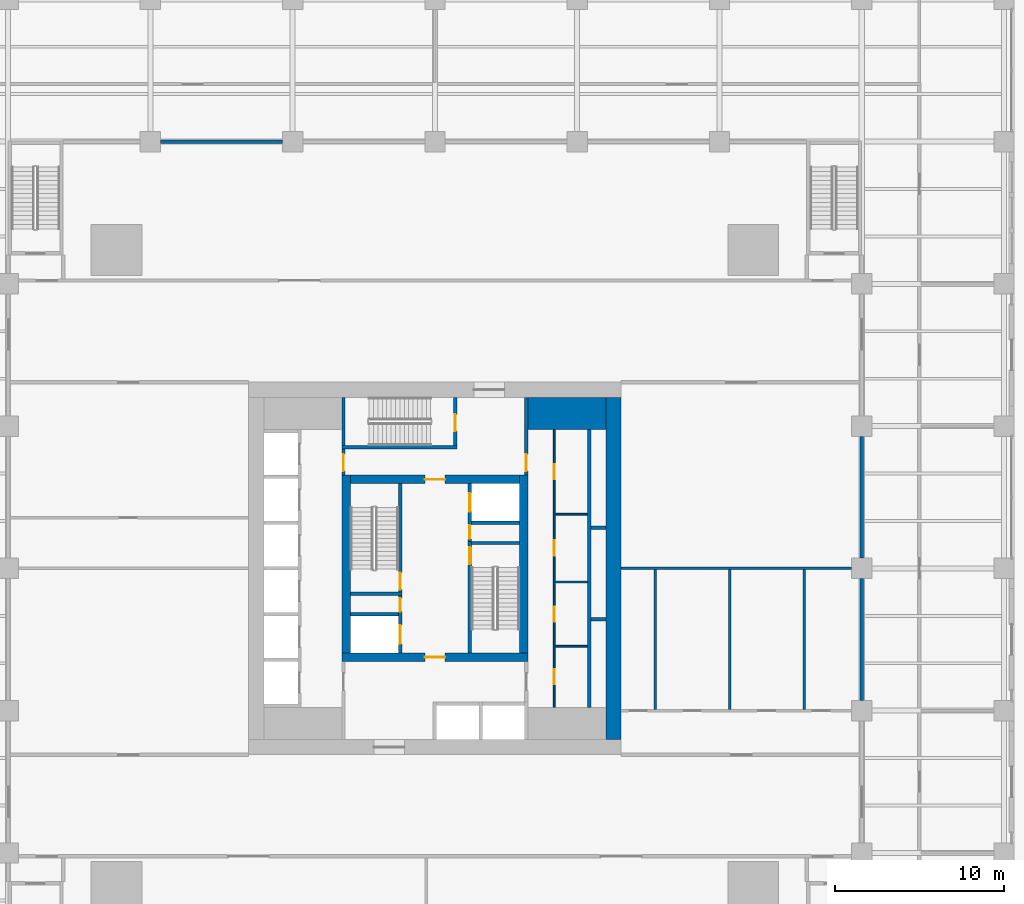
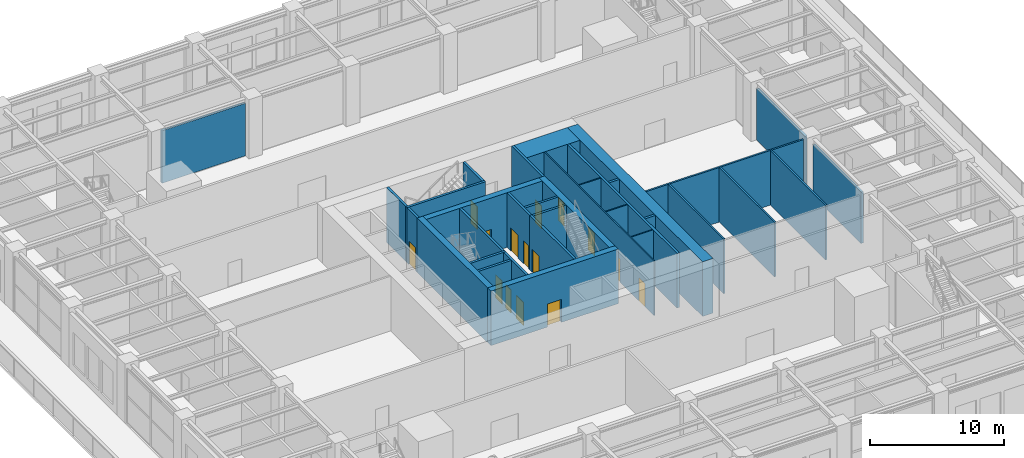
# One storey, part 25 of 36: 33 walls, 15 doors, 15 openings.
"""IFC4 building model written with IfcOpenShell, lengths in metres."""

from ifc_helpers import new_model, si_unit, direction, frame, frame_2d, origin, place, context, subcontext, project, spatial, rectangle, extrude, material, layer, layer_set, type_object, element, fill, save


model = new_model("IFC4")

# Units and contexts
model_context = context("Model", 3, precision=1e-05, world=origin(), true_north=direction((0.0, 1.0)))
body_context = subcontext(model_context, "Body", "Model", "MODEL_VIEW")
ifc_project = project(units=[si_unit("LENGTHUNIT", "METRE"), si_unit("AREAUNIT", "SQUARE_METRE"), si_unit("VOLUMEUNIT", "CUBIC_METRE"), si_unit("PLANEANGLEUNIT", "RADIAN"), si_unit("MASSUNIT", "GRAM", prefix="KILO")], contexts=[model_context])

# Site, building, storey
site_placement = place(None, origin())
site = spatial("IfcSite", under=ifc_project, at=site_placement, CompositionType="ELEMENT")
building_placement = place(site_placement, origin())
building = spatial("IfcBuilding", under=site, at=building_placement, Name="Khepri Terraces", CompositionType="ELEMENT")
storey_placement = place(building_placement, frame((0.0, 0.0, 16.800048828125)))
storey = spatial("IfcBuildingStorey", under=building, at=storey_placement, Name="L03", CompositionType="ELEMENT", Elevation=16.800048828125)

# Wall
ifc_material_1 = material(Name="Concrete C80/95", Category="concrete")
ifc_layer_1 = layer(ifc_material_1, 1.89990234375, Name="Concrete C80/95", Category="concrete")
ifc_layer_set_1 = layer_set([ifc_layer_1], Name="Concrete C80/95")
wall_type_1 = type_object("IfcWallType", Name="Core wall 1900 C80/95", PredefinedType="SHEAR", material=ifc_layer_set_1)
wall_1_placement = place(storey_placement, frame((5.5, 9.14990234375, 0.0), z_axis=(0.0, 0.0, 1.0), x_axis=(1.0, 0.0, 0.0)))
element("IfcWall", 1, at=wall_1_placement, inside=storey, type_object=wall_type_1, Name="Core wall PR04 L03", PredefinedType="SHEAR", context=body_context, shape_type="SweptSolid", body=[
    extrude(rectangle(XDim=4.60009765625, YDim=1.89990234375, at=frame_2d((2.300048828125, 0.0))), origin(), (0.0, 0.0, 1.0), 4.97998046875),
])

# Wall, opening, door
ifc_layer_2 = layer(ifc_material_1, 0.199951171875, Name="Concrete C80/95", Category="concrete")
ifc_layer_set_2 = layer_set([ifc_layer_2], Name="Concrete C80/95")
wall_type_2 = type_object("IfcWallType", Name="Core wall 200 C80/95", PredefinedType="SHEAR", material=ifc_layer_set_2)
wall_2_placement = place(storey_placement, frame((2.050048828125, -5.0, 0.0), z_axis=(0.0, 0.0, 1.0), x_axis=(0.0, 1.0, 0.0)))
wall_2 = element("IfcWall", 2, at=wall_2_placement, inside=storey, type_object=wall_type_2, Name="Core wall ST01 L03", PredefinedType="SHEAR", context=body_context, shape_type="SweptSolid", body=[
    extrude(rectangle(XDim=6.60009765625, YDim=0.199951171875, at=frame_2d((3.300048828125, 0.0))), origin(), (0.0, 0.0, 1.0), 4.97998046875),
])
opening_1_placement = place(wall_2_placement, frame((5.25, 0.0, 0.0)))
opening_1 = element("IfcOpeningElement", 3, at=opening_1_placement, cuts=wall_2, Name="Opening L03-C10", PredefinedType="OPENING", context=body_context, shape_type="SweptSolid", body=[
    extrude(rectangle(XDim=1.0, YDim=2.10009765625, at=frame_2d((0.5, 1.050048828125))), frame((0.0, 0.10986328125, 0.0), z_axis=(0.0, -1.0, 0.0), x_axis=(1.0, 0.0, 0.0)), (0.0, 0.0, 1.0), 0.219970703125),
])
ifc_material_2 = material(Name="Painted steel", Category="steel")
door_type_1 = type_object("IfcDoorType", Name="DR-CORE-STAIR-1000", OperationType="NOTDEFINED", PredefinedType="DOOR", material=ifc_material_2)
door_1_placement = place(opening_1_placement, frame((1.0, 0.0, 0.0), z_axis=(0.0, 0.0, 1.0), x_axis=(-1.0, 0.0, 0.0)))
door_1 = element("IfcDoor", 4, at=door_1_placement, inside=storey, type_object=door_type_1, Name="Stair door L03-C10", OperationType="SINGLE_SWING_LEFT", OverallHeight=2.10009765625, OverallWidth=1.0, PredefinedType="DOOR", context=body_context, shape_type="SweptSolid", body=[
    extrude(rectangle(XDim=1.0, YDim=2.10009765625, at=frame_2d((0.5, 1.050048828125))), frame((0.0, 0.02490234375, 0.0), z_axis=(0.0, -1.0, 0.0), x_axis=(1.0, 0.0, 0.0)), (0.0, 0.0, 1.0), 0.050048828125),
])
fill(opening_1, door_1)

# Wall
wall_3_placement = place(storey_placement, frame((-5.0, -1.5, 0.0), z_axis=(0.0, 0.0, 1.0), x_axis=(1.0, 0.0, 0.0)))
element("IfcWall", 5, at=wall_3_placement, inside=storey, type_object=wall_type_2, Name="Core wall ST02 L03", PredefinedType="SHEAR", context=body_context, shape_type="SweptSolid", body=[
    extrude(rectangle(XDim=3.050048828125, YDim=0.199951171875, at=frame_2d((1.52490234375, 0.0))), origin(), (0.0, 0.0, 1.0), 4.97998046875),
])

# Wall, opening, door
wall_4_placement = place(storey_placement, frame((-2.050048828125, -1.39990234375, 0.0), z_axis=(0.0, 0.0, 1.0), x_axis=(0.0, 1.0, 0.0)))
wall_4 = element("IfcWall", 6, at=wall_4_placement, inside=storey, type_object=wall_type_2, Name="Core wall ST03 L03", PredefinedType="SHEAR", context=body_context, shape_type="SweptSolid", body=[
    extrude(rectangle(XDim=6.39990234375, YDim=0.199951171875, at=frame_2d((3.199951171875, 0.0))), origin(), (0.0, 0.0, 1.0), 4.97998046875),
])
opening_2_placement = place(wall_4_placement, frame((0.14990234375, 0.0, 0.0)))
opening_2 = element("IfcOpeningElement", 7, at=opening_2_placement, cuts=wall_4, Name="Opening L03-C09", PredefinedType="OPENING", context=body_context, shape_type="SweptSolid", body=[
    extrude(rectangle(XDim=1.0, YDim=2.10009765625, at=frame_2d((0.5, 1.050048828125))), frame((0.0, 0.10986328125, 0.0), z_axis=(0.0, -1.0, 0.0), x_axis=(1.0, 0.0, 0.0)), (0.0, 0.0, 1.0), 0.219970703125),
])
door_2_placement = place(opening_2_placement, origin())
door_2 = element("IfcDoor", 8, at=door_2_placement, inside=storey, type_object=door_type_1, Name="Stair door L03-C09", OperationType="SINGLE_SWING_LEFT", OverallHeight=2.10009765625, OverallWidth=1.0, PredefinedType="DOOR", context=body_context, shape_type="SweptSolid", body=[
    extrude(rectangle(XDim=1.0, YDim=2.10009765625, at=frame_2d((0.5, 1.050048828125))), frame((0.0, 0.02490234375, 0.0), z_axis=(0.0, -1.0, 0.0), x_axis=(1.0, 0.0, 0.0)), (0.0, 0.0, 1.0), 0.050048828125),
])
fill(opening_2, door_2)

# Walls
wall_5_placement = place(storey_placement, frame((2.14990234375, 1.5, 0.0), z_axis=(0.0, 0.0, 1.0), x_axis=(1.0, 0.0, 0.0)))
element("IfcWall", 9, at=wall_5_placement, inside=storey, type_object=wall_type_2, Name="Core wall ST04 L03", PredefinedType="SHEAR", context=body_context, shape_type="SweptSolid", body=[
    extrude(rectangle(XDim=2.85009765625, YDim=0.199951171875, at=frame_2d((1.425048828125, 0.0))), origin(), (0.0, 0.0, 1.0), 4.97998046875),
])
wall_6_placement = place(storey_placement, frame((-5.5, 7.14990234375, 0.0), z_axis=(0.0, 0.0, 1.0), x_axis=(1.0, 0.0, 0.0)))
element("IfcWall", 10, at=wall_6_placement, inside=storey, type_object=wall_type_2, Name="Core wall ST05 L03", PredefinedType="SHEAR", context=body_context, shape_type="SweptSolid", body=[
    extrude(rectangle(XDim=6.800048828125, YDim=0.199951171875, at=frame_2d((3.39990234375, 0.0))), origin(), (0.0, 0.0, 1.0), 4.97998046875),
])
wall_7_placement = place(storey_placement, frame((-5.39990234375, 7.25, 0.0), z_axis=(0.0, 0.0, 1.0), x_axis=(0.0, 1.0, 0.0)))
element("IfcWall", 11, at=wall_7_placement, inside=storey, type_object=wall_type_2, Name="Core wall ST06 L03", PredefinedType="SHEAR", context=body_context, shape_type="SweptSolid", body=[
    extrude(rectangle(XDim=2.85009765625, YDim=0.199951171875, at=frame_2d((1.425048828125, 0.0))), origin(), (0.0, 0.0, 1.0), 4.97998046875),
])

# Wall, opening, door
wall_8_placement = place(storey_placement, frame((1.199951171875, 7.25, 0.0), z_axis=(0.0, 0.0, 1.0), x_axis=(0.0, 1.0, 0.0)))
wall_8 = element("IfcWall", 12, at=wall_8_placement, inside=storey, type_object=wall_type_2, Name="Core wall ST07 L03", PredefinedType="SHEAR", context=body_context, shape_type="SweptSolid", body=[
    extrude(rectangle(XDim=2.85009765625, YDim=0.199951171875, at=frame_2d((1.425048828125, 0.0))), origin(), (0.0, 0.0, 1.0), 4.97998046875),
])
opening_3_placement = place(wall_8_placement, frame((0.85009765625, 0.0, 0.0)))
opening_3 = element("IfcOpeningElement", 13, at=opening_3_placement, cuts=wall_8, Name="Opening L03-C15", PredefinedType="OPENING", context=body_context, shape_type="SweptSolid", body=[
    extrude(rectangle(XDim=1.0, YDim=2.10009765625, at=frame_2d((0.5, 1.050048828125))), frame((0.0, 0.10986328125, 0.0), z_axis=(0.0, -1.0, 0.0), x_axis=(1.0, 0.0, 0.0)), (0.0, 0.0, 1.0), 0.219970703125),
])
door_3_placement = place(opening_3_placement, origin())
door_3 = element("IfcDoor", 14, at=door_3_placement, inside=storey, type_object=door_type_1, Name="Stair door L03-C15", OperationType="SINGLE_SWING_LEFT", OverallHeight=2.10009765625, OverallWidth=1.0, PredefinedType="DOOR", context=body_context, shape_type="SweptSolid", body=[
    extrude(rectangle(XDim=1.0, YDim=2.10009765625, at=frame_2d((0.5, 1.050048828125))), frame((0.0, 0.02490234375, 0.0), z_axis=(0.0, -1.0, 0.0), x_axis=(1.0, 0.0, 0.0)), (0.0, 0.0, 1.0), 0.050048828125),
])
fill(opening_3, door_3)

# Wall
wall_9_placement = place(storey_placement, frame((9.10009765625, -8.199951171875, 0.0), z_axis=(0.0, 0.0, 1.0), x_axis=(0.0, 1.0, 0.0)))
element("IfcWall", 15, at=wall_9_placement, inside=storey, type_object=wall_type_2, Name="Core wall SH05 L03", PredefinedType="SHEAR", context=body_context, shape_type="SweptSolid", body=[
    extrude(rectangle(XDim=16.39990234375, YDim=0.199951171875, at=frame_2d((8.199951171875, 0.0))), origin(), (0.0, 0.0, 1.0), 4.97998046875),
])

# Wall, openings, doors
wall_10_placement = place(storey_placement, frame((-2.050048828125, -5.0, 0.0), z_axis=(0.0, 0.0, 1.0), x_axis=(0.0, 1.0, 0.0)))
wall_10 = element("IfcWall", 16, at=wall_10_placement, inside=storey, type_object=wall_type_2, Name="Core wall SH10 L03", PredefinedType="SHEAR", context=body_context, shape_type="SweptSolid", body=[
    extrude(rectangle(XDim=3.39990234375, YDim=0.199951171875, at=frame_2d((1.699951171875, 0.0))), origin(), (0.0, 0.0, 1.0), 4.97998046875),
])
opening_4_placement = place(wall_10_placement, frame((0.550048828125, 0.0, 0.0)))
opening_4 = element("IfcOpeningElement", 17, at=opening_4_placement, cuts=wall_10, Name="Opening L03-C08", PredefinedType="OPENING", context=body_context, shape_type="SweptSolid", body=[
    extrude(rectangle(XDim=1.10009765625, YDim=2.10009765625, at=frame_2d((0.550048828125, 1.050048828125))), frame((0.0, 0.10986328125, 0.0), z_axis=(0.0, -1.0, 0.0), x_axis=(1.0, 0.0, 0.0)), (0.0, 0.0, 1.0), 0.219970703125),
])
opening_5_placement = place(wall_10_placement, frame((2.449951171875, 0.0, 0.0)))
opening_5 = element("IfcOpeningElement", 18, at=opening_5_placement, cuts=wall_10, Name="Opening L03-C12", PredefinedType="OPENING", context=body_context, shape_type="SweptSolid", body=[
    extrude(rectangle(XDim=0.800048828125, YDim=2.10009765625, at=frame_2d((0.39990234375, 1.050048828125))), frame((0.0, 0.10986328125, 0.0), z_axis=(0.0, -1.0, 0.0), x_axis=(1.0, 0.0, 0.0)), (0.0, 0.0, 1.0), 0.219970703125),
])
ifc_material_3 = material(Name="Stainless steel 304", Category="steel")
door_type_2 = type_object("IfcDoorType", Name="DR-CORE-FF-LANDING-1100", OperationType="NOTDEFINED", PredefinedType="DOOR", material=ifc_material_3)
door_4_placement = place(opening_4_placement, origin())
door_4 = element("IfcDoor", 19, at=door_4_placement, inside=storey, type_object=door_type_2, Name="Firefighting lift landing door L03-C08", OperationType="SLIDING_TO_LEFT", OverallHeight=2.10009765625, OverallWidth=1.10009765625, PredefinedType="DOOR", context=body_context, shape_type="SweptSolid", body=[
    extrude(rectangle(XDim=1.10009765625, YDim=2.10009765625, at=frame_2d((0.550048828125, 1.050048828125))), frame((0.0, 0.02490234375, 0.0), z_axis=(0.0, -1.0, 0.0), x_axis=(1.0, 0.0, 0.0)), (0.0, 0.0, 1.0), 0.050048828125),
])
fill(opening_4, door_4)
door_type_3 = type_object("IfcDoorType", Name="DR-CORE-RISER-800", OperationType="NOTDEFINED", PredefinedType="DOOR", material=ifc_material_2)
door_5_placement = place(opening_5_placement, origin())
door_5 = element("IfcDoor", 20, at=door_5_placement, inside=storey, type_object=door_type_3, Name="Riser door L03-C12", OperationType="SINGLE_SWING_RIGHT", OverallHeight=2.10009765625, OverallWidth=0.800048828125, PredefinedType="DOOR", context=body_context, shape_type="SweptSolid", body=[
    extrude(rectangle(XDim=0.800048828125, YDim=2.10009765625, at=frame_2d((0.39990234375, 1.050048828125))), frame((0.0, 0.02490234375, 0.0), z_axis=(0.0, -1.0, 0.0), x_axis=(1.0, 0.0, 0.0)), (0.0, 0.0, 1.0), 0.050048828125),
])
fill(opening_5, door_5)

# Walls
wall_11_placement = place(storey_placement, frame((9.199951171875, -3.0, 0.0), z_axis=(0.0, 0.0, 1.0), x_axis=(1.0, 0.0, 0.0)))
element("IfcWall", 21, at=wall_11_placement, inside=storey, type_object=wall_type_2, Name="Core wall SH11 L03", PredefinedType="SHEAR", context=body_context, shape_type="SweptSolid", body=[
    extrude(rectangle(XDim=0.900146484375, YDim=0.199951171875, at=frame_2d((0.4501953125, 0.0))), origin(), (0.0, 0.0, 1.0), 4.97998046875),
])
wall_12_placement = place(storey_placement, frame((-5.0, -2.699951171875, 0.0), z_axis=(0.0, 0.0, 1.0), x_axis=(1.0, 0.0, 0.0)))
element("IfcWall", 22, at=wall_12_placement, inside=storey, type_object=wall_type_2, Name="Core wall SH13 L03", PredefinedType="SHEAR", context=body_context, shape_type="SweptSolid", body=[
    extrude(rectangle(XDim=2.85009765625, YDim=0.199951171875, at=frame_2d((1.425048828125, 0.0))), origin(), (0.0, 0.0, 1.0), 4.97998046875),
])

# Wall, openings, doors
wall_13_placement = place(storey_placement, frame((2.050048828125, 1.60009765625, 0.0), z_axis=(0.0, 0.0, 1.0), x_axis=(0.0, 1.0, 0.0)))
wall_13 = element("IfcWall", 23, at=wall_13_placement, inside=storey, type_object=wall_type_2, Name="Core wall SH15 L03", PredefinedType="SHEAR", context=body_context, shape_type="SweptSolid", body=[
    extrude(rectangle(XDim=3.39990234375, YDim=0.199951171875, at=frame_2d((1.699951171875, 0.0))), origin(), (0.0, 0.0, 1.0), 4.97998046875),
])
opening_6_placement = place(wall_13_placement, frame((1.75, 0.0, 0.0)))
opening_6 = element("IfcOpeningElement", 24, at=opening_6_placement, cuts=wall_13, Name="Opening L03-C07", PredefinedType="OPENING", context=body_context, shape_type="SweptSolid", body=[
    extrude(rectangle(XDim=1.10009765625, YDim=2.10009765625, at=frame_2d((0.550048828125, 1.050048828125))), frame((0.0, 0.10986328125, 0.0), z_axis=(0.0, -1.0, 0.0), x_axis=(1.0, 0.0, 0.0)), (0.0, 0.0, 1.0), 0.219970703125),
])
opening_7_placement = place(wall_13_placement, frame((0.14990234375, 0.0, 0.0)))
opening_7 = element("IfcOpeningElement", 25, at=opening_7_placement, cuts=wall_13, Name="Opening L03-C11", PredefinedType="OPENING", context=body_context, shape_type="SweptSolid", body=[
    extrude(rectangle(XDim=0.800048828125, YDim=2.10009765625, at=frame_2d((0.39990234375, 1.050048828125))), frame((0.0, 0.10986328125, 0.0), z_axis=(0.0, -1.0, 0.0), x_axis=(1.0, 0.0, 0.0)), (0.0, 0.0, 1.0), 0.219970703125),
])
door_6_placement = place(opening_6_placement, origin())
door_6 = element("IfcDoor", 26, at=door_6_placement, inside=storey, type_object=door_type_2, Name="Firefighting lift landing door L03-C07", OperationType="SLIDING_TO_LEFT", OverallHeight=2.10009765625, OverallWidth=1.10009765625, PredefinedType="DOOR", context=body_context, shape_type="SweptSolid", body=[
    extrude(rectangle(XDim=1.10009765625, YDim=2.10009765625, at=frame_2d((0.550048828125, 1.050048828125))), frame((0.0, 0.02490234375, 0.0), z_axis=(0.0, -1.0, 0.0), x_axis=(1.0, 0.0, 0.0)), (0.0, 0.0, 1.0), 0.050048828125),
])
fill(opening_6, door_6)
door_7_placement = place(opening_7_placement, frame((0.800048828125, 0.0, 0.0), z_axis=(0.0, 0.0, 1.0), x_axis=(-1.0, 0.0, 0.0)))
door_7 = element("IfcDoor", 27, at=door_7_placement, inside=storey, type_object=door_type_3, Name="Riser door L03-C11", OperationType="SINGLE_SWING_RIGHT", OverallHeight=2.10009765625, OverallWidth=0.800048828125, PredefinedType="DOOR", context=body_context, shape_type="SweptSolid", body=[
    extrude(rectangle(XDim=0.800048828125, YDim=2.10009765625, at=frame_2d((0.39990234375, 1.050048828125))), frame((0.0, 0.02490234375, 0.0), z_axis=(0.0, -1.0, 0.0), x_axis=(1.0, 0.0, 0.0)), (0.0, 0.0, 1.0), 0.050048828125),
])
fill(opening_7, door_7)

# Walls
wall_14_placement = place(storey_placement, frame((9.199951171875, 2.39990234375, 0.0), z_axis=(0.0, 0.0, 1.0), x_axis=(1.0, 0.0, 0.0)))
element("IfcWall", 28, at=wall_14_placement, inside=storey, type_object=wall_type_2, Name="Core wall SH16 L03", PredefinedType="SHEAR", context=body_context, shape_type="SweptSolid", body=[
    extrude(rectangle(XDim=0.900146484375, YDim=0.199951171875, at=frame_2d((0.4501953125, 0.0))), origin(), (0.0, 0.0, 1.0), 4.97998046875),
])
wall_15_placement = place(storey_placement, frame((2.14990234375, 2.699951171875, 0.0), z_axis=(0.0, 0.0, 1.0), x_axis=(1.0, 0.0, 0.0)))
element("IfcWall", 29, at=wall_15_placement, inside=storey, type_object=wall_type_2, Name="Core wall SH18 L03", PredefinedType="SHEAR", context=body_context, shape_type="SweptSolid", body=[
    extrude(rectangle(XDim=2.85009765625, YDim=0.199951171875, at=frame_2d((1.425048828125, 0.0))), origin(), (0.0, 0.0, 1.0), 4.97998046875),
])

# Wall, opening, door
ifc_layer_3 = layer(ifc_material_1, 0.5, Name="Concrete C80/95", Category="concrete")
ifc_layer_set_3 = layer_set([ifc_layer_3], Name="Concrete C80/95")
wall_type_3 = type_object("IfcWallType", Name="Core wall 500 C80/95", PredefinedType="SHEAR", material=ifc_layer_set_3)
wall_16_placement = place(storey_placement, frame((-5.5, -5.25, 0.0), z_axis=(0.0, 0.0, 1.0), x_axis=(1.0, 0.0, 0.0)))
wall_16 = element("IfcWall", 30, at=wall_16_placement, inside=storey, type_object=wall_type_3, Name="Core wall BX01 L03", PredefinedType="SHEAR", context=body_context, shape_type="SweptSolid", body=[
    extrude(rectangle(XDim=11.0, YDim=0.5, at=frame_2d((5.5, 0.0))), origin(), (0.0, 0.0, 1.0), 4.97998046875),
])
opening_8_placement = place(wall_16_placement, frame((4.89990234375, 0.0, 0.0)))
opening_8 = element("IfcOpeningElement", 31, at=opening_8_placement, cuts=wall_16, Name="Opening L03-C14", PredefinedType="OPENING", context=body_context, shape_type="SweptSolid", body=[
    extrude(rectangle(XDim=1.199951171875, YDim=2.10009765625, at=frame_2d((0.60009765625, 1.050048828125))), frame((0.0, 0.260009765625, 0.0), z_axis=(0.0, -1.0, 0.0), x_axis=(1.0, 0.0, 0.0)), (0.0, 0.0, 1.0), 0.52001953125),
])
door_type_4 = type_object("IfcDoorType", Name="DR-CORE-FF-LOBBY-1200", OperationType="NOTDEFINED", PredefinedType="DOOR", material=ifc_material_2)
door_8_placement = place(opening_8_placement, origin())
door_8 = element("IfcDoor", 32, at=door_8_placement, inside=storey, type_object=door_type_4, Name="Firefighting lobby door L03-C14", OperationType="SINGLE_SWING_RIGHT", OverallHeight=2.10009765625, OverallWidth=1.199951171875, PredefinedType="DOOR", context=body_context, shape_type="SweptSolid", body=[
    extrude(rectangle(XDim=1.199951171875, YDim=2.10009765625, at=frame_2d((0.60009765625, 1.050048828125))), frame((0.0, 0.02490234375, 0.0), z_axis=(0.0, -1.0, 0.0), x_axis=(1.0, 0.0, 0.0)), (0.0, 0.0, 1.0), 0.050048828125),
])
fill(opening_8, door_8)

# Walls
for number, where, z_axis, x_axis, name in (
    (33, (-5.25, -5.0, 0.0), (0.0, 0.0, 1.0), (0.0, 1.0, 0.0), "Core wall BX02 L03"),
    (34, (5.25, -5.0, 0.0), (0.0, 0.0, 1.0), (0.0, 1.0, 0.0), "Core wall BX03 L03"),
):
    element("IfcWall", number, at=place(storey_placement, frame(where, z_axis=z_axis, x_axis=x_axis)), inside=storey, type_object=wall_type_3, Name=name, PredefinedType="SHEAR", context=body_context, shape_type="SweptSolid", body=[
        extrude(rectangle(XDim=10.5, YDim=0.5, at=frame_2d((5.25, 0.0))), origin(), (0.0, 0.0, 1.0), 4.97998046875),
    ])

# Wall, opening, door
wall_17_placement = place(storey_placement, frame((-5.0, 5.25, 0.0), z_axis=(0.0, 0.0, 1.0), x_axis=(1.0, 0.0, 0.0)))
wall_17 = element("IfcWall", 35, at=wall_17_placement, inside=storey, type_object=wall_type_3, Name="Core wall BX04 L03", PredefinedType="SHEAR", context=body_context, shape_type="SweptSolid", body=[
    extrude(rectangle(XDim=10.0, YDim=0.5, at=frame_2d((5.0, 0.0))), origin(), (0.0, 0.0, 1.0), 4.97998046875),
])
opening_9_placement = place(wall_17_placement, frame((4.39990234375, 0.0, 0.0)))
opening_9 = element("IfcOpeningElement", 36, at=opening_9_placement, cuts=wall_17, Name="Opening L03-C13", PredefinedType="OPENING", context=body_context, shape_type="SweptSolid", body=[
    extrude(rectangle(XDim=1.199951171875, YDim=2.10009765625, at=frame_2d((0.60009765625, 1.050048828125))), frame((0.0, 0.260009765625, 0.0), z_axis=(0.0, -1.0, 0.0), x_axis=(1.0, 0.0, 0.0)), (0.0, 0.0, 1.0), 0.52001953125),
])
door_9_placement = place(opening_9_placement, frame((1.199951171875, 0.0, 0.0), z_axis=(0.0, 0.0, 1.0), x_axis=(-1.0, 0.0, 0.0)))
door_9 = element("IfcDoor", 37, at=door_9_placement, inside=storey, type_object=door_type_4, Name="Firefighting lobby door L03-C13", OperationType="SINGLE_SWING_LEFT", OverallHeight=2.10009765625, OverallWidth=1.199951171875, PredefinedType="DOOR", context=body_context, shape_type="SweptSolid", body=[
    extrude(rectangle(XDim=1.199951171875, YDim=2.10009765625, at=frame_2d((0.60009765625, 1.050048828125))), frame((0.0, 0.02490234375, 0.0), z_axis=(0.0, -1.0, 0.0), x_axis=(1.0, 0.0, 0.0)), (0.0, 0.0, 1.0), 0.050048828125),
])
fill(opening_9, door_9)

# Wall
ifc_layer_4 = layer(ifc_material_1, 0.89990234375, Name="Concrete C80/95", Category="concrete")
ifc_layer_set_4 = layer_set([ifc_layer_4], Name="Concrete C80/95")
wall_type_4 = type_object("IfcWallType", Name="Core wall 900 C80/95", PredefinedType="SHEAR", material=ifc_layer_set_4)
wall_18_placement = place(storey_placement, frame((10.550048828125, -10.10009765625, 0.0), z_axis=(0.0, 0.0, 1.0), x_axis=(0.0, 1.0, 0.0)))
element("IfcWall", 38, at=wall_18_placement, inside=storey, type_object=wall_type_4, Name="Core wall OW-E L03", PredefinedType="SHEAR", context=body_context, shape_type="SweptSolid", body=[
    extrude(rectangle(XDim=20.2001953125, YDim=0.89990234375, at=frame_2d((10.10009765625, 0.0))), origin(), (0.0, 0.0, 1.0), 4.97998046875),
])

# Wall, openings, doors
ifc_material_4 = material(Name="Fire-rated gypsum board partition")
ifc_layer_5 = layer(ifc_material_4, 0.10009765625, Name="Fire-rated gypsum board partition")
ifc_layer_set_5 = layer_set([ifc_layer_5], Name="Fire-rated gypsum board partition")
wall_type_5 = type_object("IfcWallType", Name="WL-CORE-PART-100", PredefinedType="PARTITIONING", material=ifc_layer_set_5)
wall_19_placement = place(storey_placement, frame((7.050048828125, -8.199951171875, 0.0), z_axis=(0.0, 0.0, 1.0), x_axis=(0.0, 1.0, 0.0)))
wall_19 = element("IfcWall", 39, at=wall_19_placement, inside=storey, type_object=wall_type_5, Name="Core partition PT02 L03", PredefinedType="PARTITIONING", context=body_context, shape_type="SweptSolid", body=[
    extrude(rectangle(XDim=16.39990234375, YDim=0.10009765625, at=frame_2d((8.199951171875, 0.0))), origin(), (0.0, 0.0, 1.0), 4.97998046875),
])
opening_10_placement = place(wall_19_placement, frame((1.35009765625, 0.0, 0.0)))
opening_10 = element("IfcOpeningElement", 40, at=opening_10_placement, cuts=wall_19, Name="Opening L03-C22", PredefinedType="OPENING", context=body_context, shape_type="SweptSolid", body=[
    extrude(rectangle(XDim=0.89990234375, YDim=2.10009765625, at=frame_2d((0.449951171875, 1.050048828125))), frame((0.0, 0.06005859375, 0.0), z_axis=(0.0, -1.0, 0.0), x_axis=(1.0, 0.0, 0.0)), (0.0, 0.0, 1.0), 0.1201171875),
])
opening_11_placement = place(wall_19_placement, frame((5.050048828125, 0.0, 0.0)))
opening_11 = element("IfcOpeningElement", 41, at=opening_11_placement, cuts=wall_19, Name="Opening L03-C23", PredefinedType="OPENING", context=body_context, shape_type="SweptSolid", body=[
    extrude(rectangle(XDim=0.89990234375, YDim=2.10009765625, at=frame_2d((0.449951171875, 1.050048828125))), frame((0.0, 0.06005859375, 0.0), z_axis=(0.0, -1.0, 0.0), x_axis=(1.0, 0.0, 0.0)), (0.0, 0.0, 1.0), 0.1201171875),
])
opening_12_placement = place(wall_19_placement, frame((8.949951171875, 0.0, 0.0)))
opening_12 = element("IfcOpeningElement", 42, at=opening_12_placement, cuts=wall_19, Name="Opening L03-C24", PredefinedType="OPENING", context=body_context, shape_type="SweptSolid", body=[
    extrude(rectangle(XDim=0.89990234375, YDim=2.10009765625, at=frame_2d((0.449951171875, 1.050048828125))), frame((0.0, 0.06005859375, 0.0), z_axis=(0.0, -1.0, 0.0), x_axis=(1.0, 0.0, 0.0)), (0.0, 0.0, 1.0), 0.1201171875),
])
opening_13_placement = place(wall_19_placement, frame((13.449951171875, 0.0, 0.0)))
opening_13 = element("IfcOpeningElement", 43, at=opening_13_placement, cuts=wall_19, Name="Opening L03-C25", PredefinedType="OPENING", context=body_context, shape_type="SweptSolid", body=[
    extrude(rectangle(XDim=0.89990234375, YDim=2.10009765625, at=frame_2d((0.449951171875, 1.050048828125))), frame((0.0, 0.06005859375, 0.0), z_axis=(0.0, -1.0, 0.0), x_axis=(1.0, 0.0, 0.0)), (0.0, 0.0, 1.0), 0.1201171875),
])
door_type_5 = type_object("IfcDoorType", Name="DR-CORE-SERVICE-900", OperationType="NOTDEFINED", PredefinedType="DOOR", material=ifc_material_2)
door_10_placement = place(opening_10_placement, frame((0.89990234375, 0.0, 0.0), z_axis=(0.0, 0.0, 1.0), x_axis=(-1.0, 0.0, 0.0)))
door_10 = element("IfcDoor", 44, at=door_10_placement, inside=storey, type_object=door_type_5, Name="Service room door L03-C22", OperationType="SINGLE_SWING_RIGHT", OverallHeight=2.10009765625, OverallWidth=0.89990234375, PredefinedType="DOOR", context=body_context, shape_type="SweptSolid", body=[
    extrude(rectangle(XDim=0.89990234375, YDim=2.10009765625, at=frame_2d((0.449951171875, 1.050048828125))), frame((0.0, 0.02490234375, 0.0), z_axis=(0.0, -1.0, 0.0), x_axis=(1.0, 0.0, 0.0)), (0.0, 0.0, 1.0), 0.050048828125),
])
fill(opening_10, door_10)
door_11_placement = place(opening_11_placement, frame((0.89990234375, 0.0, 0.0), z_axis=(0.0, 0.0, 1.0), x_axis=(-1.0, 0.0, 0.0)))
door_11 = element("IfcDoor", 45, at=door_11_placement, inside=storey, type_object=door_type_5, Name="Service room door L03-C23", OperationType="SINGLE_SWING_RIGHT", OverallHeight=2.10009765625, OverallWidth=0.89990234375, PredefinedType="DOOR", context=body_context, shape_type="SweptSolid", body=[
    extrude(rectangle(XDim=0.89990234375, YDim=2.10009765625, at=frame_2d((0.449951171875, 1.050048828125))), frame((0.0, 0.02490234375, 0.0), z_axis=(0.0, -1.0, 0.0), x_axis=(1.0, 0.0, 0.0)), (0.0, 0.0, 1.0), 0.050048828125),
])
fill(opening_11, door_11)
door_12_placement = place(opening_12_placement, frame((0.89990234375, 0.0, 0.0), z_axis=(0.0, 0.0, 1.0), x_axis=(-1.0, 0.0, 0.0)))
door_12 = element("IfcDoor", 46, at=door_12_placement, inside=storey, type_object=door_type_5, Name="Service room door L03-C24", OperationType="SINGLE_SWING_LEFT", OverallHeight=2.10009765625, OverallWidth=0.89990234375, PredefinedType="DOOR", context=body_context, shape_type="SweptSolid", body=[
    extrude(rectangle(XDim=0.89990234375, YDim=2.10009765625, at=frame_2d((0.449951171875, 1.050048828125))), frame((0.0, 0.02490234375, 0.0), z_axis=(0.0, -1.0, 0.0), x_axis=(1.0, 0.0, 0.0)), (0.0, 0.0, 1.0), 0.050048828125),
])
fill(opening_12, door_12)
door_13_placement = place(opening_13_placement, frame((0.89990234375, 0.0, 0.0), z_axis=(0.0, 0.0, 1.0), x_axis=(-1.0, 0.0, 0.0)))
door_13 = element("IfcDoor", 47, at=door_13_placement, inside=storey, type_object=door_type_5, Name="Service room door L03-C25", OperationType="SINGLE_SWING_LEFT", OverallHeight=2.10009765625, OverallWidth=0.89990234375, PredefinedType="DOOR", context=body_context, shape_type="SweptSolid", body=[
    extrude(rectangle(XDim=0.89990234375, YDim=2.10009765625, at=frame_2d((0.449951171875, 1.050048828125))), frame((0.0, 0.02490234375, 0.0), z_axis=(0.0, -1.0, 0.0), x_axis=(1.0, 0.0, 0.0)), (0.0, 0.0, 1.0), 0.050048828125),
])
fill(opening_13, door_13)

# Walls
for number, where, z_axis, x_axis, name in (
    (48, (7.10009765625, -4.60009765625, 0.0), (0.0, 0.0, 1.0), (1.0, 0.0, 0.0), "Core partition PT04 L03"),
    (49, (7.10009765625, -0.800048828125, 0.0), (0.0, 0.0, 1.0), (1.0, 0.0, 0.0), "Core partition PT05 L03"),
    (50, (7.10009765625, 3.199951171875, 0.0), (0.0, 0.0, 1.0), (1.0, 0.0, 0.0), "Core partition PT06 L03"),
):
    element("IfcWall", number, at=place(storey_placement, frame(where, z_axis=z_axis, x_axis=x_axis)), inside=storey, type_object=wall_type_5, Name=name, PredefinedType="PARTITIONING", context=body_context, shape_type="SweptSolid", body=[
        extrude(rectangle(XDim=1.89990234375, YDim=0.10009765625, at=frame_2d((0.949951171875, 0.0))), origin(), (0.0, 0.0, 1.0), 4.97998046875),
    ])

# Wall, opening, door
ifc_layer_6 = layer(ifc_material_4, 0.199951171875, Name="Fire-rated gypsum board partition")
ifc_layer_set_6 = layer_set([ifc_layer_6], Name="Fire-rated gypsum board partition")
wall_type_6 = type_object("IfcWallType", Name="WL-CORE-PART-200", PredefinedType="PARTITIONING", material=ifc_layer_set_6)
wall_20_placement = place(storey_placement, frame((-5.39990234375, 5.5, 0.0), z_axis=(0.0, 0.0, 1.0), x_axis=(0.0, 1.0, 0.0)))
wall_20 = element("IfcWall", 51, at=wall_20_placement, inside=storey, type_object=wall_type_6, Name="Core partition PT07 L03", PredefinedType="PARTITIONING", context=body_context, shape_type="SweptSolid", body=[
    extrude(rectangle(XDim=1.550048828125, YDim=0.199951171875, at=frame_2d((0.77490234375, 0.0))), origin(), (0.0, 0.0, 1.0), 4.97998046875),
])
opening_14_placement = place(wall_20_placement, frame((0.25, 0.0, 0.0)))
opening_14 = element("IfcOpeningElement", 52, at=opening_14_placement, cuts=wall_20, Name="Opening L03-C16", PredefinedType="OPENING", context=body_context, shape_type="SweptSolid", body=[
    extrude(rectangle(XDim=1.0, YDim=2.10009765625, at=frame_2d((0.5, 1.050048828125))), frame((0.0, 0.10986328125, 0.0), z_axis=(0.0, -1.0, 0.0), x_axis=(1.0, 0.0, 0.0)), (0.0, 0.0, 1.0), 0.219970703125),
])
door_type_6 = type_object("IfcDoorType", Name="DR-CORE-LOBBY-1000", OperationType="NOTDEFINED", PredefinedType="DOOR", material=ifc_material_2)
door_14_placement = place(opening_14_placement, frame((1.0, 0.0, 0.0), z_axis=(0.0, 0.0, 1.0), x_axis=(-1.0, 0.0, 0.0)))
door_14 = element("IfcDoor", 53, at=door_14_placement, inside=storey, type_object=door_type_6, Name="Lobby door L03-C16", OperationType="SINGLE_SWING_RIGHT", OverallHeight=2.10009765625, OverallWidth=1.0, PredefinedType="DOOR", context=body_context, shape_type="SweptSolid", body=[
    extrude(rectangle(XDim=1.0, YDim=2.10009765625, at=frame_2d((0.5, 1.050048828125))), frame((0.0, 0.02490234375, 0.0), z_axis=(0.0, -1.0, 0.0), x_axis=(1.0, 0.0, 0.0)), (0.0, 0.0, 1.0), 0.050048828125),
])
fill(opening_14, door_14)

wall_21_placement = place(storey_placement, frame((5.39990234375, 5.5, 0.0), z_axis=(0.0, 0.0, 1.0), x_axis=(0.0, 1.0, 0.0)))
wall_21 = element("IfcWall", 54, at=wall_21_placement, inside=storey, type_object=wall_type_6, Name="Core partition PT08 L03", PredefinedType="PARTITIONING", context=body_context, shape_type="SweptSolid", body=[
    extrude(rectangle(XDim=4.60009765625, YDim=0.199951171875, at=frame_2d((2.300048828125, 0.0))), origin(), (0.0, 0.0, 1.0), 4.97998046875),
])
opening_15_placement = place(wall_21_placement, frame((0.25, 0.0, 0.0)))
opening_15 = element("IfcOpeningElement", 55, at=opening_15_placement, cuts=wall_21, Name="Opening L03-C17", PredefinedType="OPENING", context=body_context, shape_type="SweptSolid", body=[
    extrude(rectangle(XDim=1.0, YDim=2.10009765625, at=frame_2d((0.5, 1.050048828125))), frame((0.0, 0.10986328125, 0.0), z_axis=(0.0, -1.0, 0.0), x_axis=(1.0, 0.0, 0.0)), (0.0, 0.0, 1.0), 0.219970703125),
])
door_15_placement = place(opening_15_placement, origin())
door_15 = element("IfcDoor", 56, at=door_15_placement, inside=storey, type_object=door_type_6, Name="Lobby door L03-C17", OperationType="SINGLE_SWING_LEFT", OverallHeight=2.10009765625, OverallWidth=1.0, PredefinedType="DOOR", context=body_context, shape_type="SweptSolid", body=[
    extrude(rectangle(XDim=1.0, YDim=2.10009765625, at=frame_2d((0.5, 1.050048828125))), frame((0.0, 0.02490234375, 0.0), z_axis=(0.0, -1.0, 0.0), x_axis=(1.0, 0.0, 0.0)), (0.0, 0.0, 1.0), 0.050048828125),
])
fill(opening_15, door_15)

# Walls
ifc_material_5 = material(Name="Gypsum board partition")
ifc_layer_7 = layer(ifc_material_5, 0.14990234375, Name="Gypsum board partition")
ifc_layer_set_7 = layer_set([ifc_layer_7], Name="Gypsum board partition")
wall_type_7 = type_object("IfcWallType", Name="WL-POD-150", PredefinedType="PARTITIONING", material=ifc_layer_set_7)
wall_22_placement = place(storey_placement, frame((11.0, 0.0, 0.0), z_axis=(0.0, 0.0, 1.0), x_axis=(1.0, 0.0, 0.0)))
element("IfcWall", 57, at=wall_22_placement, inside=storey, type_object=wall_type_7, Name="Partition L03-PW016", PredefinedType="PARTITIONING", context=body_context, shape_type="SweptSolid", body=[
    extrude(rectangle(XDim=13.60009765625, YDim=0.14990234375, at=frame_2d((6.800048828125, 0.0))), origin(), (0.0, 0.0, 1.0), 4.97998046875),
])
for number, where, z_axis, x_axis, name in (
    (58, (13.0, -8.324951171875, 0.0), (0.0, 0.0, 1.0), (0.0, 1.0, 0.0), "Partition L03-PW046"),
    (59, (17.39990234375, -8.324951171875, 0.0), (0.0, 0.0, 1.0), (0.0, 1.0, 0.0), "Partition L03-PW047"),
    (60, (21.800048828125, -8.324951171875, 0.0), (0.0, 0.0, 1.0), (0.0, 1.0, 0.0), "Partition L03-PW048"),
):
    element("IfcWall", number, at=place(storey_placement, frame(where, z_axis=z_axis, x_axis=x_axis)), inside=storey, type_object=wall_type_7, Name=name, PredefinedType="PARTITIONING", context=body_context, shape_type="SweptSolid", body=[
        extrude(rectangle(XDim=8.25, YDim=0.14990234375, at=frame_2d((4.125, 0.0))), origin(), (0.0, 0.0, 1.0), 4.97998046875),
    ])
ifc_material_6 = material(Name="Fire-rated block wall")
ifc_layer_8 = layer(ifc_material_6, 0.199951171875, Name="Fire-rated block wall")
ifc_layer_set_8 = layer_set([ifc_layer_8], Name="Fire-rated block wall")
wall_type_8 = type_object("IfcWallType", Name="WL-POD-200-EI60", PredefinedType="PARTITIONING", material=ifc_layer_set_8)
wall_23_placement = place(storey_placement, frame((-16.199951171875, 25.199951171875, 0.0), z_axis=(0.0, 0.0, 1.0), x_axis=(1.0, 0.0, 0.0)))
element("IfcWall", 61, at=wall_23_placement, inside=storey, type_object=wall_type_8, Name="Partition L03-PW025", PredefinedType="PARTITIONING", context=body_context, shape_type="SweptSolid", body=[
    extrude(rectangle(XDim=7.199951171875, YDim=0.199951171875, at=frame_2d((3.60009765625, 0.0))), origin(), (0.0, 0.0, 1.0), 4.780029296875),
])
for number, where, z_axis, x_axis, name in (
    (62, (25.199951171875, -7.800048828125, 0.0), (0.0, 0.0, 1.0), (0.0, 1.0, 0.0), "Partition L03-PW053"),
    (63, (25.199951171875, 0.60009765625, 0.0), (0.0, 0.0, 1.0), (0.0, 1.0, 0.0), "Partition L03-PW054"),
):
    element("IfcWall", number, at=place(storey_placement, frame(where, z_axis=z_axis, x_axis=x_axis)), inside=storey, type_object=wall_type_8, Name=name, PredefinedType="PARTITIONING", context=body_context, shape_type="SweptSolid", body=[
        extrude(rectangle(XDim=7.199951171875, YDim=0.199951171875, at=frame_2d((3.60009765625, 0.0))), origin(), (0.0, 0.0, 1.0), 4.679931640625),
    ])

save(model, "model.ifc")
